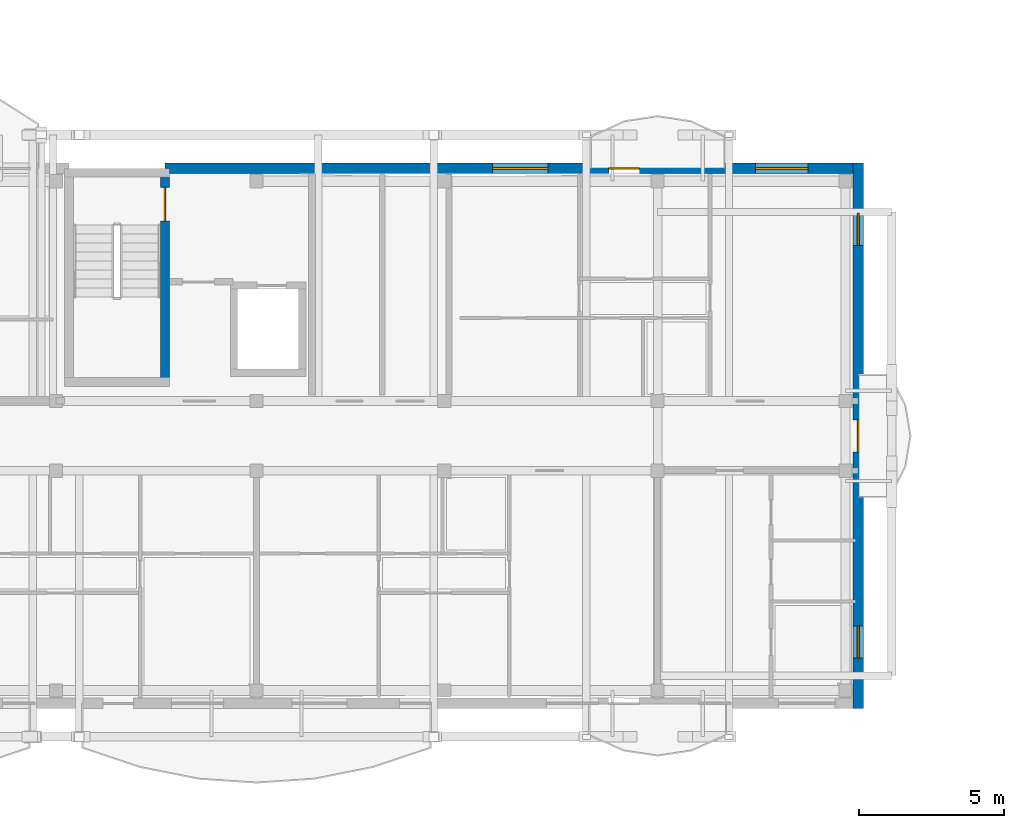
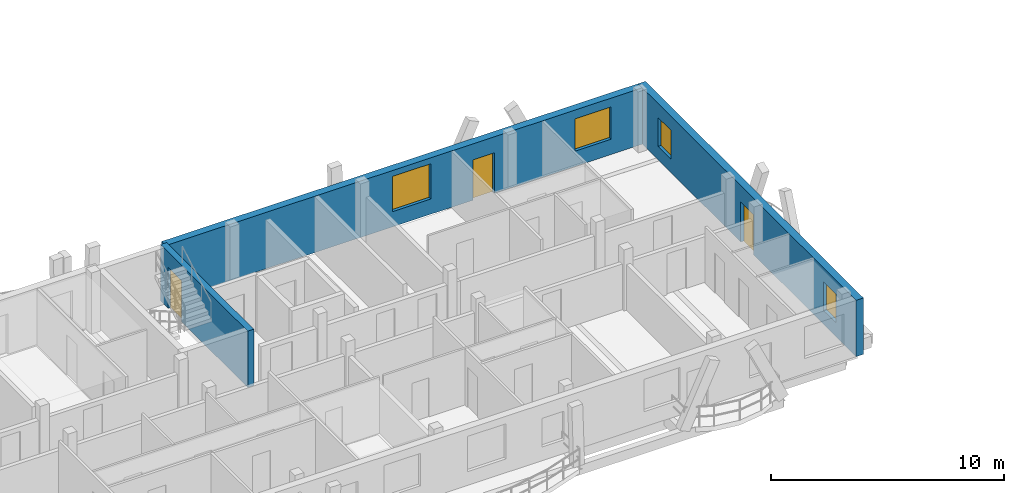
# One storey, part 17 of 41: 4 windows, 3 doors, 3 walls, 7 openings.
"""IFC4 building model written with IfcOpenShell, lengths in metres."""

from ifc_helpers import new_model, si_unit, direction, frame, frame_2d, origin, origin_with_axes, place, context, subcontext, project, spatial, rectangle, extrude, material, layer, layer_set, type_object, element, fill, save


model = new_model("IFC4")

# Units and contexts
model_context = context("Model", 3, precision=1e-05, world=origin(), true_north=direction((0.0, 1.0)))
body_context = subcontext(model_context, "Body", "Model", "MODEL_VIEW")
ifc_project = project(units=[si_unit("LENGTHUNIT", "METRE"), si_unit("AREAUNIT", "SQUARE_METRE"), si_unit("VOLUMEUNIT", "CUBIC_METRE"), si_unit("PLANEANGLEUNIT", "RADIAN"), si_unit("MASSUNIT", "GRAM", prefix="KILO")], contexts=[model_context])

# Site, building, storey
site_placement = place(None, origin())
site = spatial("IfcSite", under=ifc_project, at=site_placement, CompositionType="ELEMENT")
building_placement = place(site_placement, origin())
building = spatial("IfcBuilding", under=site, at=building_placement, Name="Zavelmont Quarter", CompositionType="ELEMENT")
storey_placement = place(building_placement, frame((0.0, 0.0, 27.199951171875)))
storey = spatial("IfcBuildingStorey", under=building, at=storey_placement, Name="L08", CompositionType="ELEMENT", Elevation=27.199951171875)

# Wall, openings, door, windows
ifc_material_1 = material(Name="Natural Belgian limestone", Category="masonry")
ifc_layer_1 = layer(ifc_material_1, 0.360107421875)
ifc_layer_set_1 = layer_set([ifc_layer_1], Name="Natural Belgian limestone")
wall_type_1 = type_object("IfcWallType", Name="EW02", PredefinedType="STANDARD", material=ifc_layer_set_1)
wall_1_placement = place(storey_placement, frame((31.35009765625, 18.39990234375, 0.0), z_axis=(0.0, 0.0, 1.0), x_axis=(1.0, 0.0, 0.0)))
wall_1 = element("IfcWall", 1, at=wall_1_placement, inside=storey, type_object=wall_type_1, Name="L08 exterior limestone wall EW02", PredefinedType="STANDARD", context=body_context, shape_type="SweptSolid", body=[
    extrude(rectangle(XDim=23.679931640625, YDim=0.360107421875, at=frame_2d((11.83984375, 0.0))), origin(), (0.0, 0.0, 1.0), 2.9599609375),
])
opening_1_placement = place(wall_1_placement, frame((15.268798828125, 0.0, 0.0)))
opening_1 = element("IfcOpeningElement", 2, at=opening_1_placement, cuts=wall_1, Name="Opening DR04A", PredefinedType="OPENING", context=body_context, shape_type="SweptSolid", body=[
    extrude(rectangle(XDim=1.050048828125, YDim=2.1201171875, at=frame_2d((0.52490234375, 1.06005859375))), frame((0.0, 0.19189453125, 0.0), z_axis=(0.0, -1.0, 0.0), x_axis=(1.0, 0.0, 0.0)), (0.0, 0.0, 1.0), 0.384033203125),
])
opening_2_placement = place(wall_1_placement, frame((11.27001953125, 0.0, 0.800048828125)))
opening_2 = element("IfcOpeningElement", 3, at=opening_2_placement, cuts=wall_1, Name="Opening WN20", PredefinedType="OPENING", context=body_context, shape_type="SweptSolid", body=[
    extrude(rectangle(XDim=1.89990234375, YDim=1.85009765625, at=frame_2d((0.949951171875, 0.925048828125))), frame((0.0, 0.19189453125, 0.0), z_axis=(0.0, -1.0, 0.0), x_axis=(1.0, 0.0, 0.0)), (0.0, 0.0, 1.0), 0.384033203125),
])
opening_3_placement = place(wall_1_placement, frame((20.320068359375, 0.0, 0.800048828125)))
opening_3 = element("IfcOpeningElement", 4, at=opening_3_placement, cuts=wall_1, Name="Opening WN02", PredefinedType="OPENING", context=body_context, shape_type="SweptSolid", body=[
    extrude(rectangle(XDim=1.800048828125, YDim=1.699951171875, at=frame_2d((0.89990234375, 0.85009765625))), frame((0.0, 0.19189453125, 0.0), z_axis=(0.0, -1.0, 0.0), x_axis=(1.0, 0.0, 0.0)), (0.0, 0.0, 1.0), 0.384033203125),
])
ifc_material_2 = material(Name="Thermally broken aluminium and double safety glass", Category="aluminium")
door_type_1 = type_object("IfcDoorType", Name="DR04A", OperationType="NOTDEFINED", PredefinedType="DOOR", material=ifc_material_2)
door_1_placement = place(opening_1_placement, frame((1.050048828125, 0.0, 0.0), z_axis=(0.0, 0.0, 1.0), x_axis=(-1.0, 0.0, 0.0)))
door_1 = element("IfcDoor", 5, at=door_1_placement, inside=storey, type_object=door_type_1, Name="Block A L08 glazed balcony door", OperationType="SINGLE_SWING_LEFT", OverallHeight=2.1201171875, OverallWidth=1.050048828125, PredefinedType="DOOR", context=body_context, shape_type="SweptSolid", body=[
    extrude(rectangle(XDim=1.050048828125, YDim=2.1201171875, at=frame_2d((0.52490234375, 1.06005859375))), frame((0.0, 0.02490234375, 0.0), z_axis=(0.0, -1.0, 0.0), x_axis=(1.0, 0.0, 0.0)), (0.0, 0.0, 1.0), 0.050048828125),
])
fill(opening_1, door_1)
ifc_material_3 = material(Name="Double low-E insulated glazing in thermally broken aluminium frame", Category="aluminium")
window_type_1 = type_object("IfcWindowType", Name="WN02", PartitioningType="SINGLE_PANEL", PredefinedType="WINDOW", material=ifc_material_3)
window_1_placement = place(opening_3_placement, origin_with_axes())
window_1 = element("IfcWindow", 6, at=window_1_placement, inside=storey, type_object=window_type_1, Name="L08 window WN02", OverallHeight=1.699951171875, OverallWidth=1.800048828125, PartitioningType="SINGLE_PANEL", PredefinedType="WINDOW", context=body_context, shape_type="SweptSolid", body=[
    extrude(rectangle(XDim=1.800048828125, YDim=1.699951171875, at=frame_2d((0.89990234375, 0.85009765625))), frame((0.0, 0.030029296875, 0.0), z_axis=(0.0, -1.0, 0.0), x_axis=(1.0, 0.0, 0.0)), (0.0, 0.0, 1.0), 0.06005859375),
])
fill(opening_3, window_1)
window_type_2 = type_object("IfcWindowType", Name="WN20", PartitioningType="SINGLE_PANEL", PredefinedType="WINDOW", material=ifc_material_3)
window_2_placement = place(opening_2_placement, origin_with_axes())
window_2 = element("IfcWindow", 7, at=window_2_placement, inside=storey, type_object=window_type_2, Name="L08 window WN20", OverallHeight=1.85009765625, OverallWidth=1.89990234375, PartitioningType="SINGLE_PANEL", PredefinedType="WINDOW", context=body_context, shape_type="SweptSolid", body=[
    extrude(rectangle(XDim=1.89990234375, YDim=1.85009765625, at=frame_2d((0.949951171875, 0.925048828125))), frame((0.0, 0.030029296875, 0.0), z_axis=(0.0, -1.0, 0.0), x_axis=(1.0, 0.0, 0.0)), (0.0, 0.0, 1.0), 0.06005859375),
])
fill(opening_2, window_2)

wall_2_placement = place(storey_placement, frame((55.199951171875, -0.179931640625, 0.0), z_axis=(0.0, 0.0, 1.0), x_axis=(0.0, 1.0, 0.0)))
wall_2 = element("IfcWall", 8, at=wall_2_placement, inside=storey, type_object=wall_type_1, Name="L08 exterior limestone wall EW02", PredefinedType="STANDARD", context=body_context, shape_type="SweptSolid", body=[
    extrude(rectangle(XDim=18.760009765625, YDim=0.360107421875, at=frame_2d((9.3798828125, 0.0))), origin(), (0.0, 0.0, 1.0), 2.9599609375),
])
opening_4_placement = place(wall_2_placement, frame((8.830078125, 0.0, 0.0)))
opening_4 = element("IfcOpeningElement", 9, at=opening_4_placement, cuts=wall_2, Name="Opening DR04B", PredefinedType="OPENING", context=body_context, shape_type="SweptSolid", body=[
    extrude(rectangle(XDim=1.10009765625, YDim=2.10009765625, at=frame_2d((0.550048828125, 1.050048828125))), frame((0.0, 0.19189453125, 0.0), z_axis=(0.0, -1.0, 0.0), x_axis=(1.0, 0.0, 0.0)), (0.0, 0.0, 1.0), 0.384033203125),
])
opening_5_placement = place(wall_2_placement, frame((1.72998046875, 0.0, 0.719970703125)))
opening_5 = element("IfcOpeningElement", 10, at=opening_5_placement, cuts=wall_2, Name="Opening WN09", PredefinedType="OPENING", context=body_context, shape_type="SweptSolid", body=[
    extrude(rectangle(XDim=1.10009765625, YDim=1.5, at=frame_2d((0.550048828125, 0.75))), frame((0.0, 0.19189453125, 0.0), z_axis=(0.0, -1.0, 0.0), x_axis=(1.0, 0.0, 0.0)), (0.0, 0.0, 1.0), 0.384033203125),
])
opening_6_placement = place(wall_2_placement, frame((15.929931640625, 0.0, 0.719970703125)))
opening_6 = element("IfcOpeningElement", 11, at=opening_6_placement, cuts=wall_2, Name="Opening WN09", PredefinedType="OPENING", context=body_context, shape_type="SweptSolid", body=[
    extrude(rectangle(XDim=1.10009765625, YDim=1.5, at=frame_2d((0.550048828125, 0.75))), frame((0.0, 0.19189453125, 0.0), z_axis=(0.0, -1.0, 0.0), x_axis=(1.0, 0.0, 0.0)), (0.0, 0.0, 1.0), 0.384033203125),
])
door_type_2 = type_object("IfcDoorType", Name="DR04B", OperationType="NOTDEFINED", PredefinedType="DOOR", material=ifc_material_2)
door_2_placement = place(opening_4_placement, origin_with_axes())
door_2 = element("IfcDoor", 12, at=door_2_placement, inside=storey, type_object=door_type_2, Name="Block A L08 terrace or vase balcony door", OperationType="SINGLE_SWING_LEFT", OverallHeight=2.10009765625, OverallWidth=1.10009765625, PredefinedType="DOOR", context=body_context, shape_type="SweptSolid", body=[
    extrude(rectangle(XDim=1.10009765625, YDim=2.10009765625, at=frame_2d((0.550048828125, 1.050048828125))), frame((0.0, 0.02490234375, 0.0), z_axis=(0.0, -1.0, 0.0), x_axis=(1.0, 0.0, 0.0)), (0.0, 0.0, 1.0), 0.050048828125),
])
fill(opening_4, door_2)
window_type_3 = type_object("IfcWindowType", Name="WN09", PartitioningType="SINGLE_PANEL", PredefinedType="WINDOW", material=ifc_material_3)
window_3_placement = place(opening_5_placement, origin_with_axes())
window_3 = element("IfcWindow", 13, at=window_3_placement, inside=storey, type_object=window_type_3, Name="L08 window WN09", OverallHeight=1.5, OverallWidth=1.10009765625, PartitioningType="SINGLE_PANEL", PredefinedType="WINDOW", context=body_context, shape_type="SweptSolid", body=[
    extrude(rectangle(XDim=1.10009765625, YDim=1.5, at=frame_2d((0.550048828125, 0.75))), frame((0.0, 0.030029296875, 0.0), z_axis=(0.0, -1.0, 0.0), x_axis=(1.0, 0.0, 0.0)), (0.0, 0.0, 1.0), 0.06005859375),
])
fill(opening_5, window_3)
window_4_placement = place(opening_6_placement, origin_with_axes())
window_4 = element("IfcWindow", 14, at=window_4_placement, inside=storey, type_object=window_type_3, Name="L08 window WN09", OverallHeight=1.5, OverallWidth=1.10009765625, PartitioningType="SINGLE_PANEL", PredefinedType="WINDOW", context=body_context, shape_type="SweptSolid", body=[
    extrude(rectangle(XDim=1.10009765625, YDim=1.5, at=frame_2d((0.550048828125, 0.75))), frame((0.0, 0.030029296875, 0.0), z_axis=(0.0, -1.0, 0.0), x_axis=(1.0, 0.0, 0.0)), (0.0, 0.0, 1.0), 0.06005859375),
])
fill(opening_6, window_4)

# Wall, opening, door
ifc_material_4 = material(Name="Concrete C40/50", Category="concrete")
ifc_layer_2 = layer(ifc_material_4, 0.300048828125)
ifc_layer_set_2 = layer_set([ifc_layer_2], Name="Concrete C40/50")
wall_type_2 = type_object("IfcWallType", Name="SW01", PredefinedType="SHEAR", material=ifc_layer_set_2)
wall_3_placement = place(storey_placement, frame((31.35009765625, 10.89990234375, 0.0), z_axis=(0.0, 0.0, 1.0), x_axis=(0.0, 1.0, 0.0)))
wall_3 = element("IfcWall", 15, at=wall_3_placement, inside=storey, type_object=wall_type_2, Name="L08 ST02 lobby shear wall SW01", PredefinedType="SHEAR", context=body_context, shape_type="SweptSolid", body=[
    extrude(rectangle(XDim=7.5, YDim=0.300048828125, at=frame_2d((3.75, 0.0))), origin(), (0.0, 0.0, 1.0), 2.9599609375),
])
opening_7_placement = place(wall_3_placement, frame((5.699951171875, 0.0, 0.0)))
opening_7 = element("IfcOpeningElement", 16, at=opening_7_placement, cuts=wall_3, Name="Opening DR09", PredefinedType="OPENING", context=body_context, shape_type="SweptSolid", body=[
    extrude(rectangle(XDim=1.14990234375, YDim=2.14990234375, at=frame_2d((0.574951171875, 1.074951171875))), frame((0.0, 0.162109375, 0.0), z_axis=(0.0, -1.0, 0.0), x_axis=(1.0, 0.0, 0.0)), (0.0, 0.0, 1.0), 0.323974609375),
])
ifc_material_5 = material(Name="Painted steel stair-core fire door", Category="steel")
door_type_3 = type_object("IfcDoorType", Name="DR09", OperationType="NOTDEFINED", PredefinedType="DOOR", material=ifc_material_5)
door_3_placement = place(opening_7_placement, origin_with_axes())
door_3 = element("IfcDoor", 17, at=door_3_placement, inside=storey, type_object=door_type_3, Name="ST02 protected stair door", OperationType="SINGLE_SWING_LEFT", OverallHeight=2.14990234375, OverallWidth=1.14990234375, PredefinedType="DOOR", context=body_context, shape_type="SweptSolid", body=[
    extrude(rectangle(XDim=1.14990234375, YDim=2.14990234375, at=frame_2d((0.574951171875, 1.074951171875))), frame((0.0, 0.02490234375, 0.0), z_axis=(0.0, -1.0, 0.0), x_axis=(1.0, 0.0, 0.0)), (0.0, 0.0, 1.0), 0.050048828125),
])
fill(opening_7, door_3)

save(model, "model.ifc")
